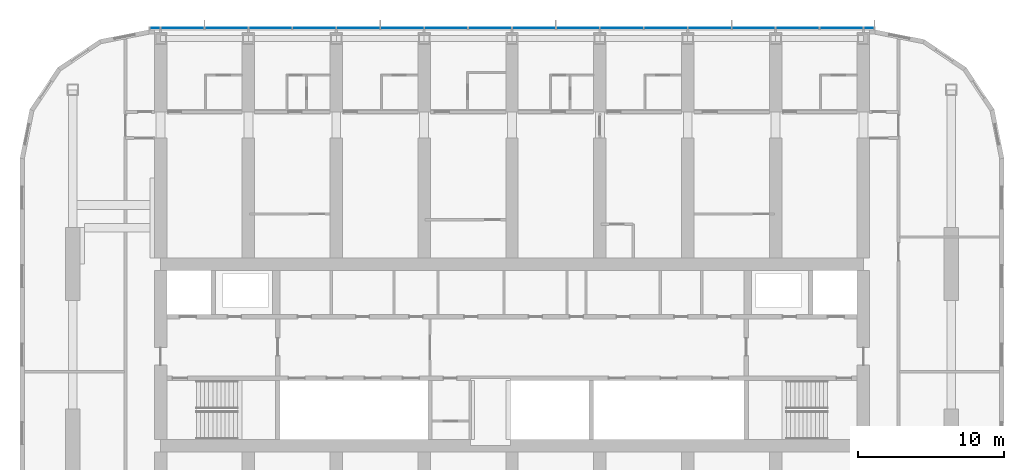
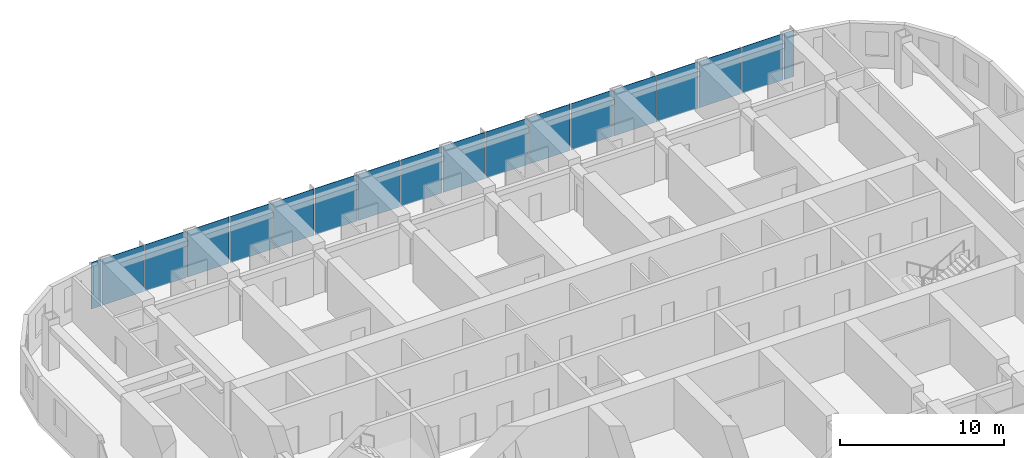
# One storey, part 9 of 22: 18 plates, 1 element without a shape of its own.
"""IFC4 building model written with IfcOpenShell, lengths in metres."""

from ifc_helpers import new_model, si_unit, direction, frame, origin, origin_2d, place, context, subcontext, project, spatial, rectangle, extrude, material, layer, layer_set, type_object, element, aggregate, save


model = new_model("IFC4")

# Units and contexts
model_context = context("Model", 3, precision=1e-05, world=origin(), true_north=direction((0.0, 1.0)))
body_context = subcontext(model_context, "Body", "Model", "MODEL_VIEW")
ifc_project = project(units=[si_unit("LENGTHUNIT", "METRE"), si_unit("AREAUNIT", "SQUARE_METRE"), si_unit("VOLUMEUNIT", "CUBIC_METRE"), si_unit("PLANEANGLEUNIT", "RADIAN"), si_unit("MASSUNIT", "GRAM", prefix="KILO")], contexts=[model_context])

# Site, building, storey
site_placement = place(None, origin())
site = spatial("IfcSite", under=ifc_project, at=site_placement, CompositionType="ELEMENT")
building_placement = place(site_placement, origin())
building = spatial("IfcBuilding", under=site, at=building_placement, Name="Orbita Commons", CompositionType="ELEMENT")
storey_placement = place(building_placement, frame((0.0, 0.0, 144.85009765625)))
storey = spatial("IfcBuildingStorey", under=building, at=storey_placement, Name="L35", CompositionType="ELEMENT", Elevation=144.85009765625)

# Curtain wall, plates
ifc_material_1 = material(Name="Anodised aluminium frame, pale silver", Category="aluminium")
curtain_wall_type = type_object("IfcCurtainWallType", Name="Unitised curtain wall CW-U, full-height vision", PredefinedType="NOTDEFINED", material=ifc_material_1)
curtain_wall_placement = place(storey_placement, origin())
curtain_wall = element("IfcCurtainWall", 1, at=curtain_wall_placement, inside=storey, type_object=curtain_wall_type, Name="Curtain wall north L35", PredefinedType="NOTDEFINED")
ifc_material_2 = material(Name="Clear double glazing", Category="glass")
ifc_layer = layer(ifc_material_2, 0.031982421875)
ifc_layer_set = layer_set([ifc_layer], Name="Clear double glazing")
plate_type = type_object("IfcPlateType", Name="Full-height vision panel, clear glazing 32", PredefinedType="CURTAIN_PANEL", material=ifc_layer_set)
plate_1_placement = place(storey_placement, frame((66.3798828125, 54.31005859375, -0.14990234375), z_axis=(0.0, 0.0, 1.0), x_axis=(-1.0, 0.0, 0.0)))
plate_1 = element("IfcPlate", 2, at=plate_1_placement, type_object=plate_type, Name="Panel 1.1 CW-L35-N", PredefinedType="CURTAIN_PANEL", context=body_context, shape_type="SweptSolid", body=[
    extrude(rectangle(XDim=0.679931640625, YDim=0.031982421875, at=origin_2d()), origin(), (0.0, 0.0, 1.0), 3.449951171875),
])
plate_2_placement = place(storey_placement, frame((64.5, 54.31005859375, -0.14990234375), z_axis=(0.0, 0.0, 1.0), x_axis=(-1.0, 0.0, 0.0)))
plate_2 = element("IfcPlate", 3, at=plate_2_placement, type_object=plate_type, Name="Panel 2.1 CW-L35-N", PredefinedType="CURTAIN_PANEL", context=body_context, shape_type="SweptSolid", body=[
    extrude(rectangle(XDim=2.919921875, YDim=0.031982421875, at=origin_2d()), origin(), (0.0, 0.0, 1.0), 3.449951171875),
])
plate_3_placement = place(storey_placement, frame((61.5, 54.31005859375, -0.14990234375), z_axis=(0.0, 0.0, 1.0), x_axis=(-1.0, 0.0, 0.0)))
plate_3 = element("IfcPlate", 4, at=plate_3_placement, type_object=plate_type, Name="Panel 3.1 CW-L35-N", PredefinedType="CURTAIN_PANEL", context=body_context, shape_type="SweptSolid", body=[
    extrude(rectangle(XDim=2.919921875, YDim=0.031982421875, at=origin_2d()), origin(), (0.0, 0.0, 1.0), 3.449951171875),
])
plate_4_placement = place(storey_placement, frame((58.5, 54.31005859375, -0.14990234375), z_axis=(0.0, 0.0, 1.0), x_axis=(-1.0, 0.0, 0.0)))
plate_4 = element("IfcPlate", 5, at=plate_4_placement, type_object=plate_type, Name="Panel 4.1 CW-L35-N", PredefinedType="CURTAIN_PANEL", context=body_context, shape_type="SweptSolid", body=[
    extrude(rectangle(XDim=2.919921875, YDim=0.031982421875, at=origin_2d()), origin(), (0.0, 0.0, 1.0), 3.449951171875),
])
plate_5_placement = place(storey_placement, frame((55.5, 54.31005859375, -0.14990234375), z_axis=(0.0, 0.0, 1.0), x_axis=(-1.0, 0.0, 0.0)))
plate_5 = element("IfcPlate", 6, at=plate_5_placement, type_object=plate_type, Name="Panel 5.1 CW-L35-N", PredefinedType="CURTAIN_PANEL", context=body_context, shape_type="SweptSolid", body=[
    extrude(rectangle(XDim=2.919921875, YDim=0.031982421875, at=origin_2d()), origin(), (0.0, 0.0, 1.0), 3.449951171875),
])
plate_6_placement = place(storey_placement, frame((52.5, 54.31005859375, -0.14990234375), z_axis=(0.0, 0.0, 1.0), x_axis=(-1.0, 0.0, 0.0)))
plate_6 = element("IfcPlate", 7, at=plate_6_placement, type_object=plate_type, Name="Panel 6.1 CW-L35-N", PredefinedType="CURTAIN_PANEL", context=body_context, shape_type="SweptSolid", body=[
    extrude(rectangle(XDim=2.919921875, YDim=0.031982421875, at=origin_2d()), origin(), (0.0, 0.0, 1.0), 3.449951171875),
])
plate_7_placement = place(storey_placement, frame((49.5, 54.31005859375, -0.14990234375), z_axis=(0.0, 0.0, 1.0), x_axis=(-1.0, 0.0, 0.0)))
plate_7 = element("IfcPlate", 8, at=plate_7_placement, type_object=plate_type, Name="Panel 7.1 CW-L35-N", PredefinedType="CURTAIN_PANEL", context=body_context, shape_type="SweptSolid", body=[
    extrude(rectangle(XDim=2.919921875, YDim=0.031982421875, at=origin_2d()), origin(), (0.0, 0.0, 1.0), 3.449951171875),
])
plate_8_placement = place(storey_placement, frame((46.5, 54.31005859375, -0.14990234375), z_axis=(0.0, 0.0, 1.0), x_axis=(-1.0, 0.0, 0.0)))
plate_8 = element("IfcPlate", 9, at=plate_8_placement, type_object=plate_type, Name="Panel 8.1 CW-L35-N", PredefinedType="CURTAIN_PANEL", context=body_context, shape_type="SweptSolid", body=[
    extrude(rectangle(XDim=2.919921875, YDim=0.031982421875, at=origin_2d()), origin(), (0.0, 0.0, 1.0), 3.449951171875),
])
plate_9_placement = place(storey_placement, frame((43.5, 54.31005859375, -0.14990234375), z_axis=(0.0, 0.0, 1.0), x_axis=(-1.0, 0.0, 0.0)))
plate_9 = element("IfcPlate", 10, at=plate_9_placement, type_object=plate_type, Name="Panel 9.1 CW-L35-N", PredefinedType="CURTAIN_PANEL", context=body_context, shape_type="SweptSolid", body=[
    extrude(rectangle(XDim=2.919921875, YDim=0.031982421875, at=origin_2d()), origin(), (0.0, 0.0, 1.0), 3.449951171875),
])
plate_10_placement = place(storey_placement, frame((40.5, 54.31005859375, -0.14990234375), z_axis=(0.0, 0.0, 1.0), x_axis=(-1.0, 0.0, 0.0)))
plate_10 = element("IfcPlate", 11, at=plate_10_placement, type_object=plate_type, Name="Panel 10.1 CW-L35-N", PredefinedType="CURTAIN_PANEL", context=body_context, shape_type="SweptSolid", body=[
    extrude(rectangle(XDim=2.919921875, YDim=0.031982421875, at=origin_2d()), origin(), (0.0, 0.0, 1.0), 3.449951171875),
])
plate_11_placement = place(storey_placement, frame((37.5, 54.31005859375, -0.14990234375), z_axis=(0.0, 0.0, 1.0), x_axis=(-1.0, 0.0, 0.0)))
plate_11 = element("IfcPlate", 12, at=plate_11_placement, type_object=plate_type, Name="Panel 11.1 CW-L35-N", PredefinedType="CURTAIN_PANEL", context=body_context, shape_type="SweptSolid", body=[
    extrude(rectangle(XDim=2.919921875, YDim=0.031982421875, at=origin_2d()), origin(), (0.0, 0.0, 1.0), 3.449951171875),
])
plate_12_placement = place(storey_placement, frame((34.5, 54.31005859375, -0.14990234375), z_axis=(0.0, 0.0, 1.0), x_axis=(-1.0, 0.0, 0.0)))
plate_12 = element("IfcPlate", 13, at=plate_12_placement, type_object=plate_type, Name="Panel 12.1 CW-L35-N", PredefinedType="CURTAIN_PANEL", context=body_context, shape_type="SweptSolid", body=[
    extrude(rectangle(XDim=2.919921875, YDim=0.031982421875, at=origin_2d()), origin(), (0.0, 0.0, 1.0), 3.449951171875),
])
plate_13_placement = place(storey_placement, frame((31.5, 54.31005859375, -0.14990234375), z_axis=(0.0, 0.0, 1.0), x_axis=(-1.0, 0.0, 0.0)))
plate_13 = element("IfcPlate", 14, at=plate_13_placement, type_object=plate_type, Name="Panel 13.1 CW-L35-N", PredefinedType="CURTAIN_PANEL", context=body_context, shape_type="SweptSolid", body=[
    extrude(rectangle(XDim=2.919921875, YDim=0.031982421875, at=origin_2d()), origin(), (0.0, 0.0, 1.0), 3.449951171875),
])
plate_14_placement = place(storey_placement, frame((28.5, 54.31005859375, -0.14990234375), z_axis=(0.0, 0.0, 1.0), x_axis=(-1.0, 0.0, 0.0)))
plate_14 = element("IfcPlate", 15, at=plate_14_placement, type_object=plate_type, Name="Panel 14.1 CW-L35-N", PredefinedType="CURTAIN_PANEL", context=body_context, shape_type="SweptSolid", body=[
    extrude(rectangle(XDim=2.919921875, YDim=0.031982421875, at=origin_2d()), origin(), (0.0, 0.0, 1.0), 3.449951171875),
])
plate_15_placement = place(storey_placement, frame((25.5, 54.31005859375, -0.14990234375), z_axis=(0.0, 0.0, 1.0), x_axis=(-1.0, 0.0, 0.0)))
plate_15 = element("IfcPlate", 16, at=plate_15_placement, type_object=plate_type, Name="Panel 15.1 CW-L35-N", PredefinedType="CURTAIN_PANEL", context=body_context, shape_type="SweptSolid", body=[
    extrude(rectangle(XDim=2.919921875, YDim=0.031982421875, at=origin_2d()), origin(), (0.0, 0.0, 1.0), 3.449951171875),
])
plate_16_placement = place(storey_placement, frame((22.5, 54.31005859375, -0.14990234375), z_axis=(0.0, 0.0, 1.0), x_axis=(-1.0, 0.0, 0.0)))
plate_16 = element("IfcPlate", 17, at=plate_16_placement, type_object=plate_type, Name="Panel 16.1 CW-L35-N", PredefinedType="CURTAIN_PANEL", context=body_context, shape_type="SweptSolid", body=[
    extrude(rectangle(XDim=2.919921875, YDim=0.031982421875, at=origin_2d()), origin(), (0.0, 0.0, 1.0), 3.449951171875),
])
plate_17_placement = place(storey_placement, frame((19.5, 54.31005859375, -0.14990234375), z_axis=(0.0, 0.0, 1.0), x_axis=(-1.0, 0.0, 0.0)))
plate_17 = element("IfcPlate", 18, at=plate_17_placement, type_object=plate_type, Name="Panel 17.1 CW-L35-N", PredefinedType="CURTAIN_PANEL", context=body_context, shape_type="SweptSolid", body=[
    extrude(rectangle(XDim=2.919921875, YDim=0.031982421875, at=origin_2d()), origin(), (0.0, 0.0, 1.0), 3.449951171875),
])
plate_18_placement = place(storey_placement, frame((17.6201171875, 54.31005859375, -0.14990234375), z_axis=(0.0, 0.0, 1.0), x_axis=(-1.0, 0.0, 0.0)))
plate_18 = element("IfcPlate", 19, at=plate_18_placement, type_object=plate_type, Name="Panel 18.1 CW-L35-N", PredefinedType="CURTAIN_PANEL", context=body_context, shape_type="SweptSolid", body=[
    extrude(rectangle(XDim=0.679931640625, YDim=0.031982421875, at=origin_2d()), origin(), (0.0, 0.0, 1.0), 3.449951171875),
])
aggregate(curtain_wall, [plate_1, plate_2, plate_3, plate_4, plate_5, plate_6, plate_7, plate_8, plate_9, plate_10, plate_11, plate_12, plate_13, plate_14, plate_15, plate_16, plate_17, plate_18])

save(model, "model.ifc")
